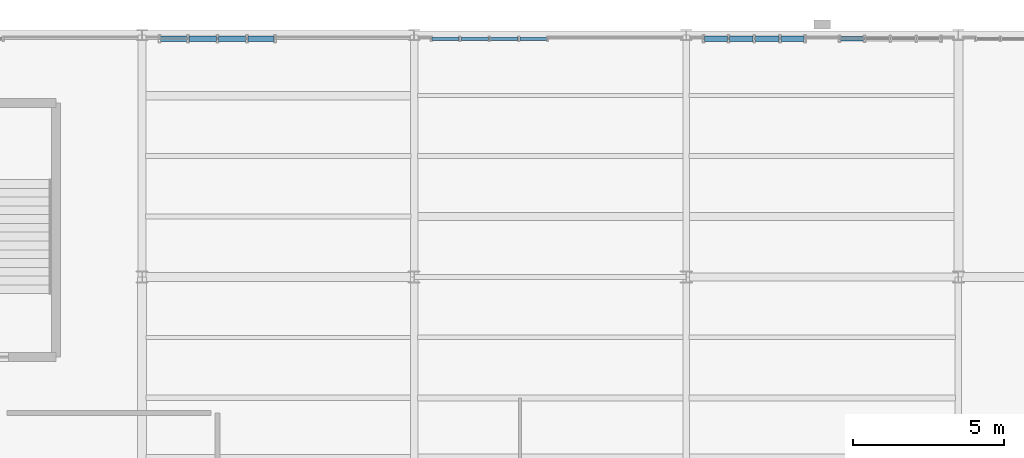
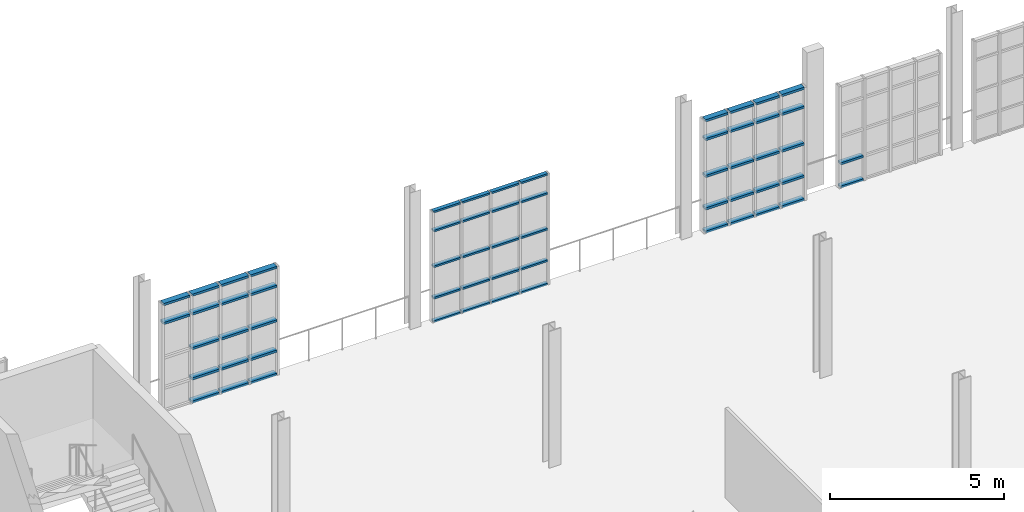
# One storey, part 72 of 122: 59 members, 4 elements without a shape of their own.
"""IFC4 building model written with IfcOpenShell, lengths in metres."""

import ifcopenshell
import ifcopenshell.guid

model = None  # the IFC model being written
_history = None  # IfcOwnerHistory: only IFC2X3 demands one
_inside = {}  # id of a spatial element -> (the spatial element, [elements in it])
_under = {}  # id of a project, library or spatial element -> (it, [spatial elements below it])
_declared = {}  # id of a project -> (the project, [libraries it declares])
_typed = {}  # id of a type object -> (the type object, [elements of that type])
_made_of = {}  # id of a material, layer set ... -> (it, [elements and type objects made of it])


def new_model(schema):
    """Start an empty IFC model of exactly this schema.

    Asked for "IFC4X3", IfcOpenShell would pick the latest addendum, in which some entities
    have other attributes; the version numbers below select the first issue.
    IFC2X3 requires an IfcOwnerHistory on every rooted entity: one is made here for all.
    """
    global model, _history
    if schema == "IFC4X3":
        model = ifcopenshell.file(schema_version=(4, 3, 0, 0))
    else:
        model = ifcopenshell.file(schema=schema)
    _inside.clear()
    _under.clear()
    _declared.clear()
    _typed.clear()
    _made_of.clear()
    _history = None
    if model.schema == "IFC2X3":
        org = make("IfcOrganization", Name="unknown")
        user = make(
            "IfcPersonAndOrganization",
            ThePerson=make("IfcPerson", FamilyName="unknown"),
            TheOrganization=org,
        )
        app = make(
            "IfcApplication",
            ApplicationDeveloper=org,
            Version="unknown",
            ApplicationFullName="unknown",
            ApplicationIdentifier="unknown",
        )
        _history = make(
            "IfcOwnerHistory",
            OwningUser=user,
            OwningApplication=app,
            ChangeAction="ADDED",
            CreationDate=0,
        )
    return model


def make(cls, **values):
    """One entity of the class cls with the attributes given. An attribute that is None is left unset."""
    return model.create_entity(
        cls, **{name: value for name, value in values.items() if value is not None}
    )


def rooted(cls, **values):
    """An entity with a GlobalId (a new one), such as an element, a storey or a relation."""
    return make(cls, GlobalId=ifcopenshell.guid.new(), OwnerHistory=_history, **values)


def si_unit(unit_type, name, prefix=None):
    """IfcSIUnit, for example si_unit("LENGTHUNIT", "METRE", prefix="MILLI")."""
    return make("IfcSIUnit", UnitType=unit_type, Prefix=prefix, Name=name)


def assignment(units):
    """IfcUnitAssignment: the units of a project."""
    return None if units is None else make("IfcUnitAssignment", Units=units)


def point(xyz):
    """IfcCartesianPoint."""
    return None if xyz is None else make("IfcCartesianPoint", Coordinates=xyz)


def direction(xyz):
    """IfcDirection."""
    return None if xyz is None else make("IfcDirection", DirectionRatios=xyz)


def frame(location, z_axis=None, x_axis=None):
    """IfcAxis2Placement3D, a coordinate frame: its origin and axes. An axis left out is left unset."""
    return make(
        "IfcAxis2Placement3D",
        Location=point(location),
        Axis=direction(z_axis),
        RefDirection=direction(x_axis),
    )


def frame_2d(location, x_axis=None):
    """IfcAxis2Placement2D, a coordinate frame in the plane: its origin and x axis."""
    return make(
        "IfcAxis2Placement2D", Location=point(location), RefDirection=direction(x_axis)
    )


def origin():
    """The frame at (0, 0, 0) with its axes left unset."""
    return frame((0.0, 0.0, 0.0))


def origin_2d():
    """The frame at (0, 0) in the plane with its x axis left unset."""
    return frame_2d((0.0, 0.0))


def place(relative_to, where):
    """IfcLocalPlacement: puts the frame where relative to a parent placement (None: the world)."""
    return make(
        "IfcLocalPlacement", PlacementRelTo=relative_to, RelativePlacement=where
    )


def context(
    kind, dimensions, precision=None, world=None, true_north=None, identifier=None
):
    """IfcGeometricRepresentationContext, for example the 3D "Model" context."""
    return make(
        "IfcGeometricRepresentationContext",
        ContextIdentifier=identifier,
        ContextType=kind,
        CoordinateSpaceDimension=dimensions,
        Precision=precision,
        WorldCoordinateSystem=world,
        TrueNorth=true_north,
    )


def subcontext(parent, identifier, kind, view, scale=None):
    """IfcGeometricRepresentationSubContext, for example "Body" below "Model"."""
    return make(
        "IfcGeometricRepresentationSubContext",
        ContextIdentifier=identifier,
        ContextType=kind,
        ParentContext=parent,
        TargetScale=scale,
        TargetView=view,
    )


def project(units=None, contexts=None):
    """IfcProject with its units and contexts."""
    return rooted(
        "IfcProject",
        Name="project",
        RepresentationContexts=contexts,
        UnitsInContext=assignment(units),
    )


def spatial(cls, under=None, at=None, **own):
    """A site, building, storey or space (cls), placed at a placement, below another one or the project."""
    s = rooted(cls, ObjectPlacement=at, **own)
    if under is not None:
        _under.setdefault(under.id(), (under, []))[1].append(s)
    return s


def profile(cls, at=None, kind="AREA", **sizes):
    """A parametric profile (cls). Its sizes go by their IFC names, for example OverallWidth=200.0."""
    return make(cls, ProfileType=kind, Position=at, **sizes)


def hollow_rectangle(**sizes):
    """IfcRectangleHollowProfileDef."""
    return profile("IfcRectangleHollowProfileDef", **sizes)


def extrude(swept, where, along, depth):
    """IfcExtrudedAreaSolid: the profile swept, set in the frame where, extruded along a direction by depth."""
    return make(
        "IfcExtrudedAreaSolid",
        SweptArea=swept,
        Position=where,
        ExtrudedDirection=direction(along),
        Depth=depth,
    )


def shape(context_of_items, identifier, shape_type, items):
    """IfcShapeRepresentation: the items that make up one representation, for example the "Body"."""
    return make(
        "IfcShapeRepresentation",
        ContextOfItems=context_of_items,
        RepresentationIdentifier=identifier,
        RepresentationType=shape_type,
        Items=items,
    )


def material(Name=None, Category=None):
    """IfcMaterial."""
    return make("IfcMaterial", Name=Name, Category=Category)


def layer(
    of_material, thickness, ventilated=None, Name=None, Category=None, Priority=None
):
    """IfcMaterialLayer: one layer of a wall or slab, of a material (None: an air gap)."""
    return make(
        "IfcMaterialLayer",
        Material=of_material,
        LayerThickness=thickness,
        IsVentilated=ventilated,
        Name=Name,
        Category=Category,
        Priority=Priority,
    )


def layer_set(layers, Name=None):
    """IfcMaterialLayerSet."""
    return make("IfcMaterialLayerSet", MaterialLayers=layers, LayerSetName=Name)


def material_profile(
    of_material, cross_section, Name=None, Category=None, Priority=None
):
    """IfcMaterialProfile: a cross section and its material."""
    return make(
        "IfcMaterialProfile",
        Name=Name,
        Material=of_material,
        Profile=cross_section,
        Priority=Priority,
        Category=Category,
    )


def profile_set(profiles, Name=None, composite=None):
    """IfcMaterialProfileSet."""
    return make(
        "IfcMaterialProfileSet",
        Name=Name,
        MaterialProfiles=profiles,
        CompositeProfile=composite,
    )


def made_of(thing, what):
    """Note that an element or type object is made of a material, layer set ...; save() writes the relation."""
    if what is not None:
        _made_of.setdefault(what.id(), (what, []))[1].append(thing)
    return thing


def type_object(cls, material=None, **own):
    """A type object (cls), such as IfcWallType, which elements share."""
    return made_of(rooted(cls, **own), material)


def element(
    cls,
    number,
    at=None,
    inside=None,
    cuts=None,
    type_object=None,
    material=None,
    context=None,
    identifier="Body",
    shape_type=None,
    held_by="IfcProductDefinitionShape",
    body=None,
    shapes=None,
    **own,
):
    """One element of the class cls, such as IfcWall. Its Tag is "e" and its number.

    at: its placement. inside: the storey or other place that contains it. cuts: it is an
    opening in that element (IfcRelVoidsElement). A single representation is given by context,
    identifier, shape_type and body (its items); several are given by shapes. held_by: the class
    of the entity that holds the representations. save() writes the other relations.
    """
    e = rooted(cls, Tag="e%d" % number, ObjectPlacement=at, **own)
    if body is not None:
        shapes = [shape(context, identifier, shape_type, body)]
    if shapes is not None:
        e.Representation = make(held_by, Representations=shapes)
    if inside is not None:
        _inside.setdefault(inside.id(), (inside, []))[1].append(e)
    if cuts is not None:
        rooted(
            "IfcRelVoidsElement", RelatingBuildingElement=cuts, RelatedOpeningElement=e
        )
    if type_object is not None:
        _typed.setdefault(type_object.id(), (type_object, []))[1].append(e)
    return made_of(e, material)


def aggregate(whole, parts):
    """IfcRelAggregates: a whole, such as a stair, and the parts it consists of."""
    return rooted("IfcRelAggregates", RelatingObject=whole, RelatedObjects=parts)


def save(model, path):
    """Write the relations noted so far, then the file.

    IfcRelAggregates (storeys below a building ...), IfcRelContainedInSpatialStructure (elements
    in a storey), IfcRelDefinesByType, IfcRelAssociatesMaterial and IfcRelDeclares: one each for
    every whole, place, type object, material and project.
    """
    for whole, parts in _under.values():
        aggregate(whole, parts)
    for where, things in _inside.values():
        rooted(
            "IfcRelContainedInSpatialStructure",
            RelatedElements=things,
            RelatingStructure=where,
        )
    for kind, things in _typed.values():
        rooted("IfcRelDefinesByType", RelatedObjects=things, RelatingType=kind)
    for what, things in _made_of.values():
        rooted("IfcRelAssociatesMaterial", RelatedObjects=things, RelatingMaterial=what)
    for by, libraries in _declared.values():
        rooted("IfcRelDeclares", RelatingContext=by, RelatedDefinitions=libraries)
    model.write(path)


model = new_model("IFC4")

# Units and contexts
model_context = context("Model", 3, precision=1e-05, world=origin(), true_north=direction((0.0, 1.0)))
body_context = subcontext(model_context, "Body", "Model", "MODEL_VIEW")
ifc_project = project(units=[si_unit("LENGTHUNIT", "METRE"), si_unit("AREAUNIT", "SQUARE_METRE"), si_unit("VOLUMEUNIT", "CUBIC_METRE"), si_unit("PLANEANGLEUNIT", "RADIAN"), si_unit("MASSUNIT", "GRAM", prefix="KILO"), si_unit("THERMODYNAMICTEMPERATUREUNIT", "KELVIN"), si_unit("POWERUNIT", "WATT")], contexts=[model_context])

# Site, building, storey
site_placement = place(None, origin())
site = spatial("IfcSite", under=ifc_project, at=site_placement, CompositionType="ELEMENT")
building_placement = place(site_placement, origin())
building = spatial("IfcBuilding", under=site, at=building_placement, Name="Zelmaris Science Centre", CompositionType="ELEMENT")
storey_placement = place(building_placement, frame((0.0, 0.0, 10.800048828125)))
storey = spatial("IfcBuildingStorey", under=building, at=storey_placement, Name="L02", CompositionType="ELEMENT", Elevation=10.800048828125)

# Curtain wall, members
ifc_material = material(Name="Anodised architectural aluminium 6063-T6", Category="aluminium")
ifc_layer_1 = layer(ifc_material, 0.2099609375, Name="Anodised architectural aluminium 6063-T6")
ifc_layer_set_1 = layer_set([ifc_layer_1], Name="Anodised architectural aluminium 6063-T6")
curtain_wall_type_1 = type_object("IfcCurtainWallType", Name="Curtain Wall CW-03", PredefinedType="USERDEFINED", material=ifc_layer_set_1)
curtain_wall_1_placement = place(storey_placement, origin())
curtain_wall_1 = element("IfcCurtainWall", 1, at=curtain_wall_1_placement, inside=storey, type_object=curtain_wall_type_1, Name="L02 Unitised curtain wall 211", ObjectType="GLAZED CURTAIN WALL", PredefinedType="USERDEFINED")
ifc_material_profile_1 = material_profile(ifc_material, hollow_rectangle(XDim=0.06494140625, YDim=0.1298828125, WallThickness=0.00341796875, at=origin_2d()), Name="ALU-TRN-65X130")
ifc_profile_set_1 = profile_set([ifc_material_profile_1], Name="Anodised architectural aluminium 6063-T6")
member_type_1 = type_object("IfcMemberType", Name="ALU-TRN-65X130", PredefinedType="USERDEFINED", material=ifc_profile_set_1)
member_1_placement = place(storey_placement, frame((81.596923828125, 87.8798828125, 0.013427734375), z_axis=(1.0, 0.0, 0.0), x_axis=(0.0, 0.0, 1.0)))
member_1 = element("IfcMember", 2, at=member_1_placement, type_object=member_type_1, Name="CW-03 transom 1.1", ObjectType="TRANSOM", PredefinedType="USERDEFINED", context=body_context, shape_type="SweptSolid", body=[
    extrude(hollow_rectangle(XDim=0.06494140625, YDim=0.1298828125, WallThickness=0.00341796875, at=origin_2d()), origin(), (0.0, 0.0, 1.0), 0.8896484375),
])
member_2_placement = place(storey_placement, frame((81.596923828125, 87.8798828125, 0.8349609375), z_axis=(1.0, 0.0, 0.0), x_axis=(0.0, 0.0, 1.0)))
member_2 = element("IfcMember", 3, at=member_2_placement, type_object=member_type_1, Name="CW-03 transom 1.2", ObjectType="TRANSOM", PredefinedType="USERDEFINED", context=body_context, shape_type="SweptSolid", body=[
    extrude(hollow_rectangle(XDim=0.06494140625, YDim=0.1298828125, WallThickness=0.00341796875, at=origin_2d()), origin(), (0.0, 0.0, 1.0), 0.8896484375),
])
member_3_placement = place(storey_placement, frame((81.596923828125, 87.8798828125, 1.93896484375), z_axis=(1.0, 0.0, 0.0), x_axis=(0.0, 0.0, 1.0)))
member_3 = element("IfcMember", 4, at=member_3_placement, type_object=member_type_1, Name="CW-03 transom 1.3", ObjectType="TRANSOM", PredefinedType="USERDEFINED", context=body_context, shape_type="SweptSolid", body=[
    extrude(hollow_rectangle(XDim=0.06494140625, YDim=0.1298828125, WallThickness=0.00341796875, at=origin_2d()), origin(), (0.0, 0.0, 1.0), 0.8896484375),
])
member_4_placement = place(storey_placement, frame((81.596923828125, 87.8798828125, 3.19287109375), z_axis=(1.0, 0.0, 0.0), x_axis=(0.0, 0.0, 1.0)))
member_4 = element("IfcMember", 5, at=member_4_placement, type_object=member_type_1, Name="CW-03 transom 1.4", ObjectType="TRANSOM", PredefinedType="USERDEFINED", context=body_context, shape_type="SweptSolid", body=[
    extrude(hollow_rectangle(XDim=0.06494140625, YDim=0.1298828125, WallThickness=0.00341796875, at=origin_2d()), origin(), (0.0, 0.0, 1.0), 0.8896484375),
])
member_5_placement = place(storey_placement, frame((81.596923828125, 87.8798828125, 3.864501953125), z_axis=(1.0, 0.0, 0.0), x_axis=(0.0, 0.0, 1.0)))
member_5 = element("IfcMember", 6, at=member_5_placement, type_object=member_type_1, Name="CW-03 transom 1.5", ObjectType="TRANSOM", PredefinedType="USERDEFINED", context=body_context, shape_type="SweptSolid", body=[
    extrude(hollow_rectangle(XDim=0.06494140625, YDim=0.1298828125, WallThickness=0.00341796875, at=origin_2d()), origin(), (0.0, 0.0, 1.0), 0.8896484375),
])
member_6_placement = place(storey_placement, frame((82.54345703125, 87.8798828125, 0.013427734375), z_axis=(1.0, 0.0, 0.0), x_axis=(0.0, 0.0, 1.0)))
member_6 = element("IfcMember", 7, at=member_6_placement, type_object=member_type_1, Name="CW-03 transom 2.1", ObjectType="TRANSOM", PredefinedType="USERDEFINED", context=body_context, shape_type="SweptSolid", body=[
    extrude(hollow_rectangle(XDim=0.06494140625, YDim=0.1298828125, WallThickness=0.00341796875, at=origin_2d()), origin(), (0.0, 0.0, 1.0), 0.91796875),
])
member_7_placement = place(storey_placement, frame((82.54345703125, 87.8798828125, 0.8349609375), z_axis=(1.0, 0.0, 0.0), x_axis=(0.0, 0.0, 1.0)))
member_7 = element("IfcMember", 8, at=member_7_placement, type_object=member_type_1, Name="CW-03 transom 2.2", ObjectType="TRANSOM", PredefinedType="USERDEFINED", context=body_context, shape_type="SweptSolid", body=[
    extrude(hollow_rectangle(XDim=0.06494140625, YDim=0.1298828125, WallThickness=0.00341796875, at=origin_2d()), origin(), (0.0, 0.0, 1.0), 0.91796875),
])
member_8_placement = place(storey_placement, frame((82.54345703125, 87.8798828125, 1.93896484375), z_axis=(1.0, 0.0, 0.0), x_axis=(0.0, 0.0, 1.0)))
member_8 = element("IfcMember", 9, at=member_8_placement, type_object=member_type_1, Name="CW-03 transom 2.3", ObjectType="TRANSOM", PredefinedType="USERDEFINED", context=body_context, shape_type="SweptSolid", body=[
    extrude(hollow_rectangle(XDim=0.06494140625, YDim=0.1298828125, WallThickness=0.00341796875, at=origin_2d()), origin(), (0.0, 0.0, 1.0), 0.91796875),
])
member_9_placement = place(storey_placement, frame((82.54345703125, 87.8798828125, 3.19287109375), z_axis=(1.0, 0.0, 0.0), x_axis=(0.0, 0.0, 1.0)))
member_9 = element("IfcMember", 10, at=member_9_placement, type_object=member_type_1, Name="CW-03 transom 2.4", ObjectType="TRANSOM", PredefinedType="USERDEFINED", context=body_context, shape_type="SweptSolid", body=[
    extrude(hollow_rectangle(XDim=0.06494140625, YDim=0.1298828125, WallThickness=0.00341796875, at=origin_2d()), origin(), (0.0, 0.0, 1.0), 0.91796875),
])
member_10_placement = place(storey_placement, frame((82.54345703125, 87.8798828125, 3.864501953125), z_axis=(1.0, 0.0, 0.0), x_axis=(0.0, 0.0, 1.0)))
member_10 = element("IfcMember", 11, at=member_10_placement, type_object=member_type_1, Name="CW-03 transom 2.5", ObjectType="TRANSOM", PredefinedType="USERDEFINED", context=body_context, shape_type="SweptSolid", body=[
    extrude(hollow_rectangle(XDim=0.06494140625, YDim=0.1298828125, WallThickness=0.00341796875, at=origin_2d()), origin(), (0.0, 0.0, 1.0), 0.91796875),
])
member_11_placement = place(storey_placement, frame((83.5185546875, 87.8798828125, 0.013427734375), z_axis=(1.0, 0.0, 0.0), x_axis=(0.0, 0.0, 1.0)))
member_11 = element("IfcMember", 12, at=member_11_placement, type_object=member_type_1, Name="CW-03 transom 3.1", ObjectType="TRANSOM", PredefinedType="USERDEFINED", context=body_context, shape_type="SweptSolid", body=[
    extrude(hollow_rectangle(XDim=0.06494140625, YDim=0.1298828125, WallThickness=0.00341796875, at=origin_2d()), origin(), (0.0, 0.0, 1.0), 0.91796875),
])
member_12_placement = place(storey_placement, frame((83.5185546875, 87.8798828125, 0.8349609375), z_axis=(1.0, 0.0, 0.0), x_axis=(0.0, 0.0, 1.0)))
member_12 = element("IfcMember", 13, at=member_12_placement, type_object=member_type_1, Name="CW-03 transom 3.2", ObjectType="TRANSOM", PredefinedType="USERDEFINED", context=body_context, shape_type="SweptSolid", body=[
    extrude(hollow_rectangle(XDim=0.06494140625, YDim=0.1298828125, WallThickness=0.00341796875, at=origin_2d()), origin(), (0.0, 0.0, 1.0), 0.91796875),
])
member_13_placement = place(storey_placement, frame((83.5185546875, 87.8798828125, 1.93896484375), z_axis=(1.0, 0.0, 0.0), x_axis=(0.0, 0.0, 1.0)))
member_13 = element("IfcMember", 14, at=member_13_placement, type_object=member_type_1, Name="CW-03 transom 3.3", ObjectType="TRANSOM", PredefinedType="USERDEFINED", context=body_context, shape_type="SweptSolid", body=[
    extrude(hollow_rectangle(XDim=0.06494140625, YDim=0.1298828125, WallThickness=0.00341796875, at=origin_2d()), origin(), (0.0, 0.0, 1.0), 0.91796875),
])
member_14_placement = place(storey_placement, frame((83.5185546875, 87.8798828125, 3.19287109375), z_axis=(1.0, 0.0, 0.0), x_axis=(0.0, 0.0, 1.0)))
member_14 = element("IfcMember", 15, at=member_14_placement, type_object=member_type_1, Name="CW-03 transom 3.4", ObjectType="TRANSOM", PredefinedType="USERDEFINED", context=body_context, shape_type="SweptSolid", body=[
    extrude(hollow_rectangle(XDim=0.06494140625, YDim=0.1298828125, WallThickness=0.00341796875, at=origin_2d()), origin(), (0.0, 0.0, 1.0), 0.91796875),
])
member_15_placement = place(storey_placement, frame((83.5185546875, 87.8798828125, 3.864501953125), z_axis=(1.0, 0.0, 0.0), x_axis=(0.0, 0.0, 1.0)))
member_15 = element("IfcMember", 16, at=member_15_placement, type_object=member_type_1, Name="CW-03 transom 3.5", ObjectType="TRANSOM", PredefinedType="USERDEFINED", context=body_context, shape_type="SweptSolid", body=[
    extrude(hollow_rectangle(XDim=0.06494140625, YDim=0.1298828125, WallThickness=0.00341796875, at=origin_2d()), origin(), (0.0, 0.0, 1.0), 0.91796875),
])
member_16_placement = place(storey_placement, frame((84.493408203125, 87.8798828125, 0.013427734375), z_axis=(1.0, 0.0, 0.0), x_axis=(0.0, 0.0, 1.0)))
member_16 = element("IfcMember", 17, at=member_16_placement, type_object=member_type_1, Name="CW-03 transom 4.1", ObjectType="TRANSOM", PredefinedType="USERDEFINED", context=body_context, shape_type="SweptSolid", body=[
    extrude(hollow_rectangle(XDim=0.06494140625, YDim=0.1298828125, WallThickness=0.00341796875, at=origin_2d()), origin(), (0.0, 0.0, 1.0), 0.8896484375),
])
member_17_placement = place(storey_placement, frame((84.493408203125, 87.8798828125, 0.8349609375), z_axis=(1.0, 0.0, 0.0), x_axis=(0.0, 0.0, 1.0)))
member_17 = element("IfcMember", 18, at=member_17_placement, type_object=member_type_1, Name="CW-03 transom 4.2", ObjectType="TRANSOM", PredefinedType="USERDEFINED", context=body_context, shape_type="SweptSolid", body=[
    extrude(hollow_rectangle(XDim=0.06494140625, YDim=0.1298828125, WallThickness=0.00341796875, at=origin_2d()), origin(), (0.0, 0.0, 1.0), 0.8896484375),
])
member_18_placement = place(storey_placement, frame((84.493408203125, 87.8798828125, 1.93896484375), z_axis=(1.0, 0.0, 0.0), x_axis=(0.0, 0.0, 1.0)))
member_18 = element("IfcMember", 19, at=member_18_placement, type_object=member_type_1, Name="CW-03 transom 4.3", ObjectType="TRANSOM", PredefinedType="USERDEFINED", context=body_context, shape_type="SweptSolid", body=[
    extrude(hollow_rectangle(XDim=0.06494140625, YDim=0.1298828125, WallThickness=0.00341796875, at=origin_2d()), origin(), (0.0, 0.0, 1.0), 0.8896484375),
])
member_19_placement = place(storey_placement, frame((84.493408203125, 87.8798828125, 3.19287109375), z_axis=(1.0, 0.0, 0.0), x_axis=(0.0, 0.0, 1.0)))
member_19 = element("IfcMember", 20, at=member_19_placement, type_object=member_type_1, Name="CW-03 transom 4.4", ObjectType="TRANSOM", PredefinedType="USERDEFINED", context=body_context, shape_type="SweptSolid", body=[
    extrude(hollow_rectangle(XDim=0.06494140625, YDim=0.1298828125, WallThickness=0.00341796875, at=origin_2d()), origin(), (0.0, 0.0, 1.0), 0.8896484375),
])
member_20_placement = place(storey_placement, frame((84.493408203125, 87.8798828125, 3.864501953125), z_axis=(1.0, 0.0, 0.0), x_axis=(0.0, 0.0, 1.0)))
member_20 = element("IfcMember", 21, at=member_20_placement, type_object=member_type_1, Name="CW-03 transom 4.5", ObjectType="TRANSOM", PredefinedType="USERDEFINED", context=body_context, shape_type="SweptSolid", body=[
    extrude(hollow_rectangle(XDim=0.06494140625, YDim=0.1298828125, WallThickness=0.00341796875, at=origin_2d()), origin(), (0.0, 0.0, 1.0), 0.8896484375),
])
aggregate(curtain_wall_1, [member_1, member_2, member_3, member_4, member_5, member_6, member_7, member_8, member_9, member_10, member_11, member_12, member_13, member_14, member_15, member_16, member_17, member_18, member_19, member_20])

ifc_layer_2 = layer(ifc_material, 0.199951171875, Name="Anodised architectural aluminium 6063-T6")
ifc_layer_set_2 = layer_set([ifc_layer_2], Name="Anodised architectural aluminium 6063-T6")
curtain_wall_type_2 = type_object("IfcCurtainWallType", Name="Curtain Wall CW-02", PredefinedType="USERDEFINED", material=ifc_layer_set_2)
curtain_wall_2_placement = place(storey_placement, origin())
curtain_wall_2 = element("IfcCurtainWall", 22, at=curtain_wall_2_placement, inside=storey, type_object=curtain_wall_type_2, Name="L02 Unitised curtain wall 214", ObjectType="GLAZED CURTAIN WALL", PredefinedType="USERDEFINED")
ifc_material_profile_2 = material_profile(ifc_material, hollow_rectangle(XDim=0.074951171875, YDim=0.159912109375, WallThickness=0.00390625, at=origin_2d()), Name="ALU-TRN-75X160")
ifc_profile_set_2 = profile_set([ifc_material_profile_2], Name="Anodised architectural aluminium 6063-T6")
member_type_2 = type_object("IfcMemberType", Name="ALU-TRN-75X160", PredefinedType="USERDEFINED", material=ifc_profile_set_2)
member_21_placement = place(storey_placement, frame((95.10693359375, 87.8798828125, 0.0185546875), z_axis=(1.0, 0.0, 0.0), x_axis=(0.0, 0.0, 1.0)))
member_21 = element("IfcMember", 23, at=member_21_placement, type_object=member_type_2, Name="CW-02 transom 1.1", ObjectType="TRANSOM", PredefinedType="USERDEFINED", context=body_context, shape_type="SweptSolid", body=[
    extrude(hollow_rectangle(XDim=0.074951171875, YDim=0.159912109375, WallThickness=0.00390625, at=origin_2d()), origin(), (0.0, 0.0, 1.0), 0.754638671875),
])
member_22_placement = place(storey_placement, frame((95.10693359375, 87.8798828125, 0.8349609375), z_axis=(1.0, 0.0, 0.0), x_axis=(0.0, 0.0, 1.0)))
member_22 = element("IfcMember", 24, at=member_22_placement, type_object=member_type_2, Name="CW-02 transom 1.2", ObjectType="TRANSOM", PredefinedType="USERDEFINED", context=body_context, shape_type="SweptSolid", body=[
    extrude(hollow_rectangle(XDim=0.074951171875, YDim=0.159912109375, WallThickness=0.00390625, at=origin_2d()), origin(), (0.0, 0.0, 1.0), 0.754638671875),
])
aggregate(curtain_wall_2, [member_21, member_22])

ifc_layer_3 = layer(ifc_material, 0.18994140625, Name="Anodised architectural aluminium 6063-T6")
ifc_layer_set_3 = layer_set([ifc_layer_3], Name="Anodised architectural aluminium 6063-T6")
curtain_wall_type_3 = type_object("IfcCurtainWallType", Name="Curtain Wall CW-01", PredefinedType="USERDEFINED", material=ifc_layer_set_3)
curtain_wall_3_placement = place(storey_placement, origin())
curtain_wall_3 = element("IfcCurtainWall", 25, at=curtain_wall_3_placement, inside=storey, type_object=curtain_wall_type_3, Name="L02 Unitised curtain wall 209", ObjectType="GLAZED CURTAIN WALL", PredefinedType="USERDEFINED")
ifc_material_profile_3 = material_profile(ifc_material, hollow_rectangle(XDim=0.080078125, YDim=0.18994140625, WallThickness=0.00439453125, at=origin_2d()), Name="ALU-TRN-80X190")
ifc_profile_set_3 = profile_set([ifc_material_profile_3], Name="Anodised architectural aluminium 6063-T6")
member_type_3 = type_object("IfcMemberType", Name="ALU-TRN-80X190", PredefinedType="USERDEFINED", material=ifc_profile_set_3)
member_23_placement = place(storey_placement, frame((72.612060546875, 87.8798828125, 3.112060546875), z_axis=(1.0, 0.0, 0.0), x_axis=(0.0, 0.0, 1.0)))
member_23 = element("IfcMember", 26, at=member_23_placement, type_object=member_type_3, Name="CW-01 transom 1.4", ObjectType="TRANSOM", PredefinedType="USERDEFINED", context=body_context, shape_type="SweptSolid", body=[
    extrude(hollow_rectangle(XDim=0.080078125, YDim=0.18994140625, WallThickness=0.00439453125, at=origin_2d()), origin(), (0.0, 0.0, 1.0), 0.866943359375),
])
member_24_placement = place(storey_placement, frame((72.612060546875, 87.8798828125, 3.77587890625), z_axis=(1.0, 0.0, 0.0), x_axis=(0.0, 0.0, 1.0)))
member_24 = element("IfcMember", 27, at=member_24_placement, type_object=member_type_3, Name="CW-01 transom 1.5", ObjectType="TRANSOM", PredefinedType="USERDEFINED", context=body_context, shape_type="SweptSolid", body=[
    extrude(hollow_rectangle(XDim=0.080078125, YDim=0.18994140625, WallThickness=0.00439453125, at=origin_2d()), origin(), (0.0, 0.0, 1.0), 0.866943359375),
])
member_25_placement = place(storey_placement, frame((73.551025390625, 87.8798828125, 0.02099609375), z_axis=(1.0, 0.0, 0.0), x_axis=(0.0, 0.0, 1.0)))
member_25 = element("IfcMember", 28, at=member_25_placement, type_object=member_type_3, Name="CW-01 transom 2.1", ObjectType="TRANSOM", PredefinedType="USERDEFINED", context=body_context, shape_type="SweptSolid", body=[
    extrude(hollow_rectangle(XDim=0.080078125, YDim=0.18994140625, WallThickness=0.00439453125, at=origin_2d()), origin(), (0.0, 0.0, 1.0), 0.903076171875),
])
member_26_placement = place(storey_placement, frame((73.551025390625, 87.8798828125, 0.8349609375), z_axis=(1.0, 0.0, 0.0), x_axis=(0.0, 0.0, 1.0)))
member_26 = element("IfcMember", 29, at=member_26_placement, type_object=member_type_3, Name="CW-01 transom 2.2", ObjectType="TRANSOM", PredefinedType="USERDEFINED", context=body_context, shape_type="SweptSolid", body=[
    extrude(hollow_rectangle(XDim=0.080078125, YDim=0.18994140625, WallThickness=0.00439453125, at=origin_2d()), origin(), (0.0, 0.0, 1.0), 0.903076171875),
])
member_27_placement = place(storey_placement, frame((73.551025390625, 87.8798828125, 1.8984375), z_axis=(1.0, 0.0, 0.0), x_axis=(0.0, 0.0, 1.0)))
member_27 = element("IfcMember", 30, at=member_27_placement, type_object=member_type_3, Name="CW-01 transom 2.3", ObjectType="TRANSOM", PredefinedType="USERDEFINED", context=body_context, shape_type="SweptSolid", body=[
    extrude(hollow_rectangle(XDim=0.080078125, YDim=0.18994140625, WallThickness=0.00439453125, at=origin_2d()), origin(), (0.0, 0.0, 1.0), 0.903076171875),
])
member_28_placement = place(storey_placement, frame((73.551025390625, 87.8798828125, 3.112060546875), z_axis=(1.0, 0.0, 0.0), x_axis=(0.0, 0.0, 1.0)))
member_28 = element("IfcMember", 31, at=member_28_placement, type_object=member_type_3, Name="CW-01 transom 2.4", ObjectType="TRANSOM", PredefinedType="USERDEFINED", context=body_context, shape_type="SweptSolid", body=[
    extrude(hollow_rectangle(XDim=0.080078125, YDim=0.18994140625, WallThickness=0.00439453125, at=origin_2d()), origin(), (0.0, 0.0, 1.0), 0.903076171875),
])
member_29_placement = place(storey_placement, frame((73.551025390625, 87.8798828125, 3.77587890625), z_axis=(1.0, 0.0, 0.0), x_axis=(0.0, 0.0, 1.0)))
member_29 = element("IfcMember", 32, at=member_29_placement, type_object=member_type_3, Name="CW-01 transom 2.5", ObjectType="TRANSOM", PredefinedType="USERDEFINED", context=body_context, shape_type="SweptSolid", body=[
    extrude(hollow_rectangle(XDim=0.080078125, YDim=0.18994140625, WallThickness=0.00439453125, at=origin_2d()), origin(), (0.0, 0.0, 1.0), 0.903076171875),
])
member_30_placement = place(storey_placement, frame((74.52587890625, 87.8798828125, 0.02099609375), z_axis=(1.0, 0.0, 0.0), x_axis=(0.0, 0.0, 1.0)))
member_30 = element("IfcMember", 33, at=member_30_placement, type_object=member_type_3, Name="CW-01 transom 3.1", ObjectType="TRANSOM", PredefinedType="USERDEFINED", context=body_context, shape_type="SweptSolid", body=[
    extrude(hollow_rectangle(XDim=0.080078125, YDim=0.18994140625, WallThickness=0.00439453125, at=origin_2d()), origin(), (0.0, 0.0, 1.0), 0.903076171875),
])
member_31_placement = place(storey_placement, frame((74.52587890625, 87.8798828125, 0.8349609375), z_axis=(1.0, 0.0, 0.0), x_axis=(0.0, 0.0, 1.0)))
member_31 = element("IfcMember", 34, at=member_31_placement, type_object=member_type_3, Name="CW-01 transom 3.2", ObjectType="TRANSOM", PredefinedType="USERDEFINED", context=body_context, shape_type="SweptSolid", body=[
    extrude(hollow_rectangle(XDim=0.080078125, YDim=0.18994140625, WallThickness=0.00439453125, at=origin_2d()), origin(), (0.0, 0.0, 1.0), 0.903076171875),
])
member_32_placement = place(storey_placement, frame((74.52587890625, 87.8798828125, 1.8984375), z_axis=(1.0, 0.0, 0.0), x_axis=(0.0, 0.0, 1.0)))
member_32 = element("IfcMember", 35, at=member_32_placement, type_object=member_type_3, Name="CW-01 transom 3.3", ObjectType="TRANSOM", PredefinedType="USERDEFINED", context=body_context, shape_type="SweptSolid", body=[
    extrude(hollow_rectangle(XDim=0.080078125, YDim=0.18994140625, WallThickness=0.00439453125, at=origin_2d()), origin(), (0.0, 0.0, 1.0), 0.903076171875),
])
member_33_placement = place(storey_placement, frame((74.52587890625, 87.8798828125, 3.112060546875), z_axis=(1.0, 0.0, 0.0), x_axis=(0.0, 0.0, 1.0)))
member_33 = element("IfcMember", 36, at=member_33_placement, type_object=member_type_3, Name="CW-01 transom 3.4", ObjectType="TRANSOM", PredefinedType="USERDEFINED", context=body_context, shape_type="SweptSolid", body=[
    extrude(hollow_rectangle(XDim=0.080078125, YDim=0.18994140625, WallThickness=0.00439453125, at=origin_2d()), origin(), (0.0, 0.0, 1.0), 0.903076171875),
])
member_34_placement = place(storey_placement, frame((74.52587890625, 87.8798828125, 3.77587890625), z_axis=(1.0, 0.0, 0.0), x_axis=(0.0, 0.0, 1.0)))
member_34 = element("IfcMember", 37, at=member_34_placement, type_object=member_type_3, Name="CW-01 transom 3.5", ObjectType="TRANSOM", PredefinedType="USERDEFINED", context=body_context, shape_type="SweptSolid", body=[
    extrude(hollow_rectangle(XDim=0.080078125, YDim=0.18994140625, WallThickness=0.00439453125, at=origin_2d()), origin(), (0.0, 0.0, 1.0), 0.903076171875),
])
member_35_placement = place(storey_placement, frame((75.5009765625, 87.8798828125, 0.02099609375), z_axis=(1.0, 0.0, 0.0), x_axis=(0.0, 0.0, 1.0)))
member_35 = element("IfcMember", 38, at=member_35_placement, type_object=member_type_3, Name="CW-01 transom 4.1", ObjectType="TRANSOM", PredefinedType="USERDEFINED", context=body_context, shape_type="SweptSolid", body=[
    extrude(hollow_rectangle(XDim=0.080078125, YDim=0.18994140625, WallThickness=0.00439453125, at=origin_2d()), origin(), (0.0, 0.0, 1.0), 0.866943359375),
])
member_36_placement = place(storey_placement, frame((75.5009765625, 87.8798828125, 0.8349609375), z_axis=(1.0, 0.0, 0.0), x_axis=(0.0, 0.0, 1.0)))
member_36 = element("IfcMember", 39, at=member_36_placement, type_object=member_type_3, Name="CW-01 transom 4.2", ObjectType="TRANSOM", PredefinedType="USERDEFINED", context=body_context, shape_type="SweptSolid", body=[
    extrude(hollow_rectangle(XDim=0.080078125, YDim=0.18994140625, WallThickness=0.00439453125, at=origin_2d()), origin(), (0.0, 0.0, 1.0), 0.866943359375),
])
member_37_placement = place(storey_placement, frame((75.5009765625, 87.8798828125, 1.8984375), z_axis=(1.0, 0.0, 0.0), x_axis=(0.0, 0.0, 1.0)))
member_37 = element("IfcMember", 40, at=member_37_placement, type_object=member_type_3, Name="CW-01 transom 4.3", ObjectType="TRANSOM", PredefinedType="USERDEFINED", context=body_context, shape_type="SweptSolid", body=[
    extrude(hollow_rectangle(XDim=0.080078125, YDim=0.18994140625, WallThickness=0.00439453125, at=origin_2d()), origin(), (0.0, 0.0, 1.0), 0.866943359375),
])
member_38_placement = place(storey_placement, frame((75.5009765625, 87.8798828125, 3.112060546875), z_axis=(1.0, 0.0, 0.0), x_axis=(0.0, 0.0, 1.0)))
member_38 = element("IfcMember", 41, at=member_38_placement, type_object=member_type_3, Name="CW-01 transom 4.4", ObjectType="TRANSOM", PredefinedType="USERDEFINED", context=body_context, shape_type="SweptSolid", body=[
    extrude(hollow_rectangle(XDim=0.080078125, YDim=0.18994140625, WallThickness=0.00439453125, at=origin_2d()), origin(), (0.0, 0.0, 1.0), 0.866943359375),
])
member_39_placement = place(storey_placement, frame((75.5009765625, 87.8798828125, 3.77587890625), z_axis=(1.0, 0.0, 0.0), x_axis=(0.0, 0.0, 1.0)))
member_39 = element("IfcMember", 42, at=member_39_placement, type_object=member_type_3, Name="CW-01 transom 4.5", ObjectType="TRANSOM", PredefinedType="USERDEFINED", context=body_context, shape_type="SweptSolid", body=[
    extrude(hollow_rectangle(XDim=0.080078125, YDim=0.18994140625, WallThickness=0.00439453125, at=origin_2d()), origin(), (0.0, 0.0, 1.0), 0.866943359375),
])
aggregate(curtain_wall_3, [member_23, member_24, member_25, member_26, member_27, member_28, member_29, member_30, member_31, member_32, member_33, member_34, member_35, member_36, member_37, member_38, member_39])

curtain_wall_4_placement = place(storey_placement, origin())
curtain_wall_4 = element("IfcCurtainWall", 43, at=curtain_wall_4_placement, inside=storey, type_object=curtain_wall_type_3, Name="L02 Unitised curtain wall 213", ObjectType="GLAZED CURTAIN WALL", PredefinedType="USERDEFINED")
member_40_placement = place(storey_placement, frame((90.612060546875, 87.8798828125, 0.02099609375), z_axis=(1.0, 0.0, 0.0), x_axis=(0.0, 0.0, 1.0)))
member_40 = element("IfcMember", 44, at=member_40_placement, type_object=member_type_3, Name="CW-01 transom 1.1", ObjectType="TRANSOM", PredefinedType="USERDEFINED", context=body_context, shape_type="SweptSolid", body=[
    extrude(hollow_rectangle(XDim=0.080078125, YDim=0.18994140625, WallThickness=0.00439453125, at=origin_2d()), origin(), (0.0, 0.0, 1.0), 0.746826171875),
])
member_41_placement = place(storey_placement, frame((90.612060546875, 87.8798828125, 0.8349609375), z_axis=(1.0, 0.0, 0.0), x_axis=(0.0, 0.0, 1.0)))
member_41 = element("IfcMember", 45, at=member_41_placement, type_object=member_type_3, Name="CW-01 transom 1.2", ObjectType="TRANSOM", PredefinedType="USERDEFINED", context=body_context, shape_type="SweptSolid", body=[
    extrude(hollow_rectangle(XDim=0.080078125, YDim=0.18994140625, WallThickness=0.00439453125, at=origin_2d()), origin(), (0.0, 0.0, 1.0), 0.746826171875),
])
member_42_placement = place(storey_placement, frame((90.612060546875, 87.8798828125, 1.975830078125), z_axis=(1.0, 0.0, 0.0), x_axis=(0.0, 0.0, 1.0)))
member_42 = element("IfcMember", 46, at=member_42_placement, type_object=member_type_3, Name="CW-01 transom 1.3", ObjectType="TRANSOM", PredefinedType="USERDEFINED", context=body_context, shape_type="SweptSolid", body=[
    extrude(hollow_rectangle(XDim=0.080078125, YDim=0.18994140625, WallThickness=0.00439453125, at=origin_2d()), origin(), (0.0, 0.0, 1.0), 0.746826171875),
])
member_43_placement = place(storey_placement, frame((90.612060546875, 87.8798828125, 3.266845703125), z_axis=(1.0, 0.0, 0.0), x_axis=(0.0, 0.0, 1.0)))
member_43 = element("IfcMember", 47, at=member_43_placement, type_object=member_type_3, Name="CW-01 transom 1.4", ObjectType="TRANSOM", PredefinedType="USERDEFINED", context=body_context, shape_type="SweptSolid", body=[
    extrude(hollow_rectangle(XDim=0.080078125, YDim=0.18994140625, WallThickness=0.00439453125, at=origin_2d()), origin(), (0.0, 0.0, 1.0), 0.746826171875),
])
member_44_placement = place(storey_placement, frame((90.612060546875, 87.8798828125, 3.930908203125), z_axis=(1.0, 0.0, 0.0), x_axis=(0.0, 0.0, 1.0)))
member_44 = element("IfcMember", 48, at=member_44_placement, type_object=member_type_3, Name="CW-01 transom 1.5", ObjectType="TRANSOM", PredefinedType="USERDEFINED", context=body_context, shape_type="SweptSolid", body=[
    extrude(hollow_rectangle(XDim=0.080078125, YDim=0.18994140625, WallThickness=0.00439453125, at=origin_2d()), origin(), (0.0, 0.0, 1.0), 0.746826171875),
])
member_45_placement = place(storey_placement, frame((91.430908203125, 87.8798828125, 0.02099609375), z_axis=(1.0, 0.0, 0.0), x_axis=(0.0, 0.0, 1.0)))
member_45 = element("IfcMember", 49, at=member_45_placement, type_object=member_type_3, Name="CW-01 transom 2.1", ObjectType="TRANSOM", PredefinedType="USERDEFINED", context=body_context, shape_type="SweptSolid", body=[
    extrude(hollow_rectangle(XDim=0.080078125, YDim=0.18994140625, WallThickness=0.00439453125, at=origin_2d()), origin(), (0.0, 0.0, 1.0), 0.783203125),
])
member_46_placement = place(storey_placement, frame((91.430908203125, 87.8798828125, 0.8349609375), z_axis=(1.0, 0.0, 0.0), x_axis=(0.0, 0.0, 1.0)))
member_46 = element("IfcMember", 50, at=member_46_placement, type_object=member_type_3, Name="CW-01 transom 2.2", ObjectType="TRANSOM", PredefinedType="USERDEFINED", context=body_context, shape_type="SweptSolid", body=[
    extrude(hollow_rectangle(XDim=0.080078125, YDim=0.18994140625, WallThickness=0.00439453125, at=origin_2d()), origin(), (0.0, 0.0, 1.0), 0.783203125),
])
member_47_placement = place(storey_placement, frame((91.430908203125, 87.8798828125, 1.975830078125), z_axis=(1.0, 0.0, 0.0), x_axis=(0.0, 0.0, 1.0)))
member_47 = element("IfcMember", 51, at=member_47_placement, type_object=member_type_3, Name="CW-01 transom 2.3", ObjectType="TRANSOM", PredefinedType="USERDEFINED", context=body_context, shape_type="SweptSolid", body=[
    extrude(hollow_rectangle(XDim=0.080078125, YDim=0.18994140625, WallThickness=0.00439453125, at=origin_2d()), origin(), (0.0, 0.0, 1.0), 0.783203125),
])
member_48_placement = place(storey_placement, frame((91.430908203125, 87.8798828125, 3.266845703125), z_axis=(1.0, 0.0, 0.0), x_axis=(0.0, 0.0, 1.0)))
member_48 = element("IfcMember", 52, at=member_48_placement, type_object=member_type_3, Name="CW-01 transom 2.4", ObjectType="TRANSOM", PredefinedType="USERDEFINED", context=body_context, shape_type="SweptSolid", body=[
    extrude(hollow_rectangle(XDim=0.080078125, YDim=0.18994140625, WallThickness=0.00439453125, at=origin_2d()), origin(), (0.0, 0.0, 1.0), 0.783203125),
])
member_49_placement = place(storey_placement, frame((91.430908203125, 87.8798828125, 3.930908203125), z_axis=(1.0, 0.0, 0.0), x_axis=(0.0, 0.0, 1.0)))
member_49 = element("IfcMember", 53, at=member_49_placement, type_object=member_type_3, Name="CW-01 transom 2.5", ObjectType="TRANSOM", PredefinedType="USERDEFINED", context=body_context, shape_type="SweptSolid", body=[
    extrude(hollow_rectangle(XDim=0.080078125, YDim=0.18994140625, WallThickness=0.00439453125, at=origin_2d()), origin(), (0.0, 0.0, 1.0), 0.783203125),
])
member_50_placement = place(storey_placement, frame((92.285888671875, 87.8798828125, 0.02099609375), z_axis=(1.0, 0.0, 0.0), x_axis=(0.0, 0.0, 1.0)))
member_50 = element("IfcMember", 54, at=member_50_placement, type_object=member_type_3, Name="CW-01 transom 3.1", ObjectType="TRANSOM", PredefinedType="USERDEFINED", context=body_context, shape_type="SweptSolid", body=[
    extrude(hollow_rectangle(XDim=0.080078125, YDim=0.18994140625, WallThickness=0.00439453125, at=origin_2d()), origin(), (0.0, 0.0, 1.0), 0.783203125),
])
member_51_placement = place(storey_placement, frame((92.285888671875, 87.8798828125, 0.8349609375), z_axis=(1.0, 0.0, 0.0), x_axis=(0.0, 0.0, 1.0)))
member_51 = element("IfcMember", 55, at=member_51_placement, type_object=member_type_3, Name="CW-01 transom 3.2", ObjectType="TRANSOM", PredefinedType="USERDEFINED", context=body_context, shape_type="SweptSolid", body=[
    extrude(hollow_rectangle(XDim=0.080078125, YDim=0.18994140625, WallThickness=0.00439453125, at=origin_2d()), origin(), (0.0, 0.0, 1.0), 0.783203125),
])
member_52_placement = place(storey_placement, frame((92.285888671875, 87.8798828125, 1.975830078125), z_axis=(1.0, 0.0, 0.0), x_axis=(0.0, 0.0, 1.0)))
member_52 = element("IfcMember", 56, at=member_52_placement, type_object=member_type_3, Name="CW-01 transom 3.3", ObjectType="TRANSOM", PredefinedType="USERDEFINED", context=body_context, shape_type="SweptSolid", body=[
    extrude(hollow_rectangle(XDim=0.080078125, YDim=0.18994140625, WallThickness=0.00439453125, at=origin_2d()), origin(), (0.0, 0.0, 1.0), 0.783203125),
])
member_53_placement = place(storey_placement, frame((92.285888671875, 87.8798828125, 3.266845703125), z_axis=(1.0, 0.0, 0.0), x_axis=(0.0, 0.0, 1.0)))
member_53 = element("IfcMember", 57, at=member_53_placement, type_object=member_type_3, Name="CW-01 transom 3.4", ObjectType="TRANSOM", PredefinedType="USERDEFINED", context=body_context, shape_type="SweptSolid", body=[
    extrude(hollow_rectangle(XDim=0.080078125, YDim=0.18994140625, WallThickness=0.00439453125, at=origin_2d()), origin(), (0.0, 0.0, 1.0), 0.783203125),
])
member_54_placement = place(storey_placement, frame((92.285888671875, 87.8798828125, 3.930908203125), z_axis=(1.0, 0.0, 0.0), x_axis=(0.0, 0.0, 1.0)))
member_54 = element("IfcMember", 58, at=member_54_placement, type_object=member_type_3, Name="CW-01 transom 3.5", ObjectType="TRANSOM", PredefinedType="USERDEFINED", context=body_context, shape_type="SweptSolid", body=[
    extrude(hollow_rectangle(XDim=0.080078125, YDim=0.18994140625, WallThickness=0.00439453125, at=origin_2d()), origin(), (0.0, 0.0, 1.0), 0.783203125),
])
member_55_placement = place(storey_placement, frame((93.14111328125, 87.8798828125, 0.02099609375), z_axis=(1.0, 0.0, 0.0), x_axis=(0.0, 0.0, 1.0)))
member_55 = element("IfcMember", 59, at=member_55_placement, type_object=member_type_3, Name="CW-01 transom 4.1", ObjectType="TRANSOM", PredefinedType="USERDEFINED", context=body_context, shape_type="SweptSolid", body=[
    extrude(hollow_rectangle(XDim=0.080078125, YDim=0.18994140625, WallThickness=0.00439453125, at=origin_2d()), origin(), (0.0, 0.0, 1.0), 0.746826171875),
])
member_56_placement = place(storey_placement, frame((93.14111328125, 87.8798828125, 0.8349609375), z_axis=(1.0, 0.0, 0.0), x_axis=(0.0, 0.0, 1.0)))
member_56 = element("IfcMember", 60, at=member_56_placement, type_object=member_type_3, Name="CW-01 transom 4.2", ObjectType="TRANSOM", PredefinedType="USERDEFINED", context=body_context, shape_type="SweptSolid", body=[
    extrude(hollow_rectangle(XDim=0.080078125, YDim=0.18994140625, WallThickness=0.00439453125, at=origin_2d()), origin(), (0.0, 0.0, 1.0), 0.746826171875),
])
member_57_placement = place(storey_placement, frame((93.14111328125, 87.8798828125, 1.975830078125), z_axis=(1.0, 0.0, 0.0), x_axis=(0.0, 0.0, 1.0)))
member_57 = element("IfcMember", 61, at=member_57_placement, type_object=member_type_3, Name="CW-01 transom 4.3", ObjectType="TRANSOM", PredefinedType="USERDEFINED", context=body_context, shape_type="SweptSolid", body=[
    extrude(hollow_rectangle(XDim=0.080078125, YDim=0.18994140625, WallThickness=0.00439453125, at=origin_2d()), origin(), (0.0, 0.0, 1.0), 0.746826171875),
])
member_58_placement = place(storey_placement, frame((93.14111328125, 87.8798828125, 3.266845703125), z_axis=(1.0, 0.0, 0.0), x_axis=(0.0, 0.0, 1.0)))
member_58 = element("IfcMember", 62, at=member_58_placement, type_object=member_type_3, Name="CW-01 transom 4.4", ObjectType="TRANSOM", PredefinedType="USERDEFINED", context=body_context, shape_type="SweptSolid", body=[
    extrude(hollow_rectangle(XDim=0.080078125, YDim=0.18994140625, WallThickness=0.00439453125, at=origin_2d()), origin(), (0.0, 0.0, 1.0), 0.746826171875),
])
member_59_placement = place(storey_placement, frame((93.14111328125, 87.8798828125, 3.930908203125), z_axis=(1.0, 0.0, 0.0), x_axis=(0.0, 0.0, 1.0)))
member_59 = element("IfcMember", 63, at=member_59_placement, type_object=member_type_3, Name="CW-01 transom 4.5", ObjectType="TRANSOM", PredefinedType="USERDEFINED", context=body_context, shape_type="SweptSolid", body=[
    extrude(hollow_rectangle(XDim=0.080078125, YDim=0.18994140625, WallThickness=0.00439453125, at=origin_2d()), origin(), (0.0, 0.0, 1.0), 0.746826171875),
])
aggregate(curtain_wall_4, [member_40, member_41, member_42, member_43, member_44, member_45, member_46, member_47, member_48, member_49, member_50, member_51, member_52, member_53, member_54, member_55, member_56, member_57, member_58, member_59])

save(model, "model.ifc")
